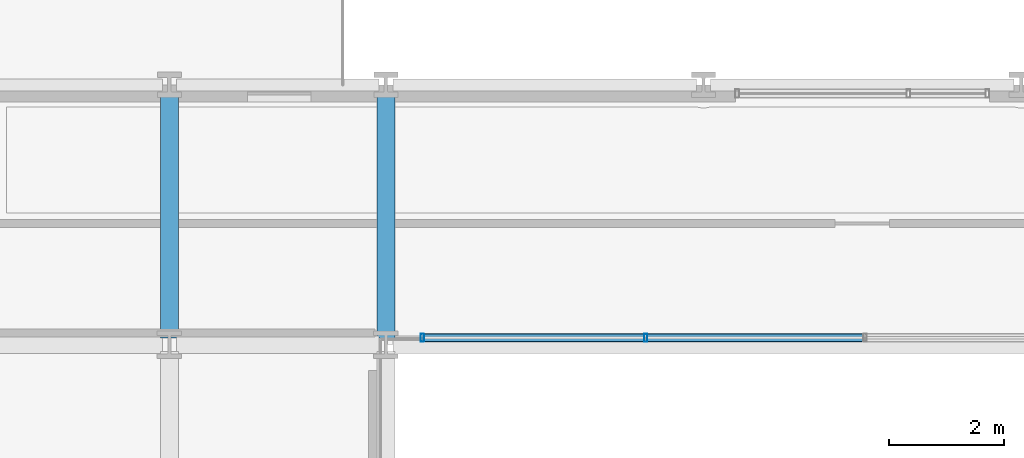
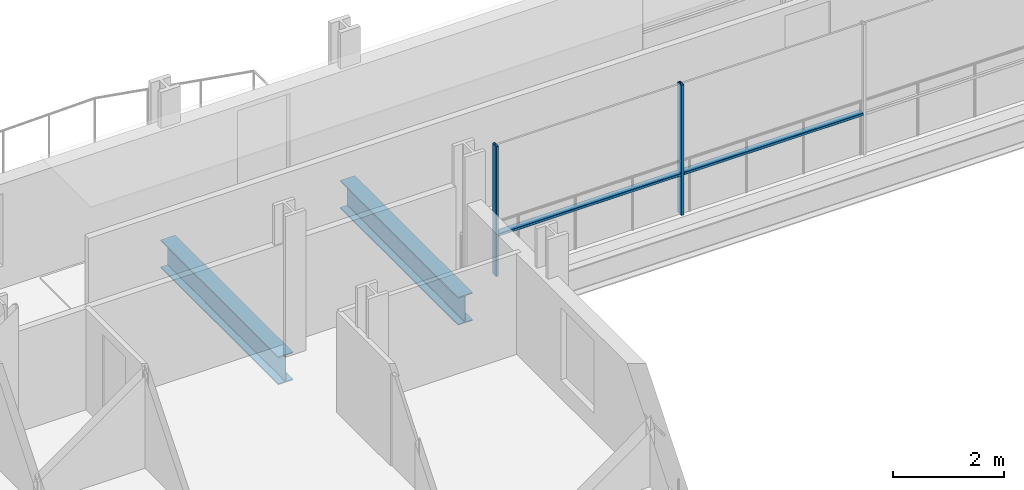
# One storey, part 9 of 41: 4 members, 2 beams, 1 element without a shape of its own.
"""IFC4 building model written with IfcOpenShell, lengths in metres."""

from ifc_helpers import new_model, si_unit, direction, frame, origin, origin_2d, place, context, subcontext, project, spatial, hollow_rectangle, i_section, extrude, material, layer, layer_set, material_profile, profile_set, type_object, element, aggregate, save


model = new_model("IFC4")

# Units and contexts
model_context = context("Model", 3, precision=1e-05, world=origin(), true_north=direction((0.0, 1.0)))
body_context = subcontext(model_context, "Body", "Model", "MODEL_VIEW")
ifc_project = project(units=[si_unit("LENGTHUNIT", "METRE"), si_unit("AREAUNIT", "SQUARE_METRE"), si_unit("VOLUMEUNIT", "CUBIC_METRE"), si_unit("PLANEANGLEUNIT", "RADIAN"), si_unit("MASSUNIT", "GRAM", prefix="KILO")], contexts=[model_context])

# Site, building, storey
site_placement = place(None, origin())
site = spatial("IfcSite", under=ifc_project, at=site_placement, CompositionType="ELEMENT")
building_placement = place(site_placement, origin())
building = spatial("IfcBuilding", under=site, at=building_placement, Name="Brevholm Reach", CompositionType="ELEMENT")
storey_placement = place(building_placement, frame((0.0, 0.0, 55.89990234375)))
storey = spatial("IfcBuildingStorey", under=building, at=storey_placement, Name="L15", CompositionType="ELEMENT", Elevation=55.89990234375)

# Beams
ifc_material_1 = material(Name="Structural Steel S355J2", Category="steel")
ifc_material_profile_1 = material_profile(ifc_material_1, i_section(OverallWidth=0.30712890625, OverallDepth=0.6201171875, WebThickness=0.01416015625, FlangeThickness=0.023681640625, FilletRadius=0.0166015625, at=origin_2d()), Name="UKB 610x305x179")
ifc_profile_set_1 = profile_set([ifc_material_profile_1], Name="Structural Steel S355J2")
beam_type = type_object("IfcBeamType", Name="BM-UKB610H", PredefinedType="USERDEFINED", material=ifc_profile_set_1)
for number, where, z_axis, x_axis, name in (
    (1, (18.0, 26.6201171875, -0.5400390625), (0.0, 1.0, 0.0), (-1.0, 0.0, 0.0), "L15 G-06 Framing Beam"),
    (2, (21.75, 26.6201171875, -0.5400390625), (0.0, 1.0, 0.0), (-1.0, 0.0, 0.0), "L15 G-06 Framing Beam"),
):
    element("IfcBeam", number, at=place(storey_placement, frame(where, z_axis=z_axis, x_axis=x_axis)), inside=storey, type_object=beam_type, Name=name, ObjectType="GIRDER", PredefinedType="USERDEFINED", context=body_context, shape_type="SweptSolid", body=[
        extrude(i_section(OverallWidth=0.30712890625, OverallDepth=0.6201171875, WebThickness=0.01416015625, FlangeThickness=0.023681640625, FilletRadius=0.0166015625, at=origin_2d()), origin(), (0.0, 0.0, 1.0), 4.259765625),
    ])

# Curtain wall, members
ifc_material_2 = material(Name="Dark Anodised Aluminium 6063-T6 and Solar-Control Glass", Category="aluminium")
ifc_layer = layer(ifc_material_2, 0.139892578125)
ifc_layer_set = layer_set([ifc_layer], Name="Dark Anodised Aluminium 6063-T6 and Solar-Control Glass")
curtain_wall_type = type_object("IfcCurtainWallType", Name="CW-02", PredefinedType="NOTDEFINED", material=ifc_layer_set)
curtain_wall_placement = place(storey_placement, origin())
curtain_wall = element("IfcCurtainWall", 3, at=curtain_wall_placement, inside=storey, type_object=curtain_wall_type, Name="L15 Curtain Wall CW-02", PredefinedType="NOTDEFINED")
ifc_material_3 = material(Name="Dark Anodised Aluminium 6063-T6", Category="aluminium")
ifc_material_profile_2 = material_profile(ifc_material_3, hollow_rectangle(XDim=0.06005859375, YDim=0.139892578125, WallThickness=0.0048828125, InnerFilletRadius=0.0048828125, OuterFilletRadius=0.010009765625, at=origin_2d()), Name="RHS 140x60x5")
ifc_profile_set_2 = profile_set([ifc_material_profile_2], Name="Dark Anodised Aluminium 6063-T6")
member_type_1 = type_object("IfcMemberType", Name="CWM-140", PredefinedType="MULLION", material=ifc_profile_set_2)
member_1_placement = place(storey_placement, frame((26.25, 26.6201171875, 0.0), z_axis=(0.0, 0.0, 1.0), x_axis=(-1.0, 0.0, 0.0)))
member_1 = element("IfcMember", 4, at=member_1_placement, type_object=member_type_1, Name="CM-140 Mullion 4", PredefinedType="MULLION", context=body_context, shape_type="SweptSolid", body=[
    extrude(hollow_rectangle(XDim=0.06005859375, YDim=0.139892578125, WallThickness=0.0048828125, InnerFilletRadius=0.0048828125, OuterFilletRadius=0.010009765625, at=origin_2d()), origin(), (0.0, 0.0, 1.0), 2.8701171875),
])
member_2_placement = place(storey_placement, frame((22.3798828125, 26.6201171875, 0.0), z_axis=(0.0, 0.0, 1.0), x_axis=(-1.0, 0.0, 0.0)))
member_2 = element("IfcMember", 5, at=member_2_placement, type_object=member_type_1, Name="CM-140 Mullion 5", PredefinedType="MULLION", context=body_context, shape_type="SweptSolid", body=[
    extrude(hollow_rectangle(XDim=0.06005859375, YDim=0.139892578125, WallThickness=0.0048828125, InnerFilletRadius=0.0048828125, OuterFilletRadius=0.010009765625, at=origin_2d()), origin(), (0.0, 0.0, 1.0), 2.8701171875),
])
ifc_material_4 = material(Name="Dark Anodised Aluminium 6063-T6", Category="aluminium")
ifc_material_profile_3 = material_profile(ifc_material_4, hollow_rectangle(XDim=0.06005859375, YDim=0.139892578125, WallThickness=0.0048828125, InnerFilletRadius=0.0048828125, OuterFilletRadius=0.010009765625, at=origin_2d()), Name="RHS 140x60x5")
ifc_profile_set_3 = profile_set([ifc_material_profile_3], Name="Dark Anodised Aluminium 6063-T6")
member_type_2 = type_object("IfcMemberType", Name="CWT-140", PredefinedType="NOTDEFINED", material=ifc_profile_set_3)
member_3_placement = place(storey_placement, frame((30.02001953125, 26.6201171875, 0.900146484375), z_axis=(-1.0, 0.0, 0.0), x_axis=(0.0, 0.0, 1.0)))
member_3 = element("IfcMember", 6, at=member_3_placement, type_object=member_type_2, Name="CT-140 Transom 3.1", ObjectType="TRANSOM", PredefinedType="USERDEFINED", context=body_context, shape_type="SweptSolid", body=[
    extrude(hollow_rectangle(XDim=0.06005859375, YDim=0.139892578125, WallThickness=0.0048828125, InnerFilletRadius=0.0048828125, OuterFilletRadius=0.010009765625, at=origin_2d()), origin(), (0.0, 0.0, 1.0), 3.739990234375),
])
member_4_placement = place(storey_placement, frame((26.219970703125, 26.6201171875, 0.900146484375), z_axis=(-1.0, 0.0, 0.0), x_axis=(0.0, 0.0, 1.0)))
member_4 = element("IfcMember", 7, at=member_4_placement, type_object=member_type_2, Name="CT-140 Transom 4.1", ObjectType="TRANSOM", PredefinedType="USERDEFINED", context=body_context, shape_type="SweptSolid", body=[
    extrude(hollow_rectangle(XDim=0.06005859375, YDim=0.139892578125, WallThickness=0.0048828125, InnerFilletRadius=0.0048828125, OuterFilletRadius=0.010009765625, at=origin_2d()), origin(), (0.0, 0.0, 1.0), 3.81005859375),
])
aggregate(curtain_wall, [member_1, member_2, member_3, member_4])

save(model, "model.ifc")
